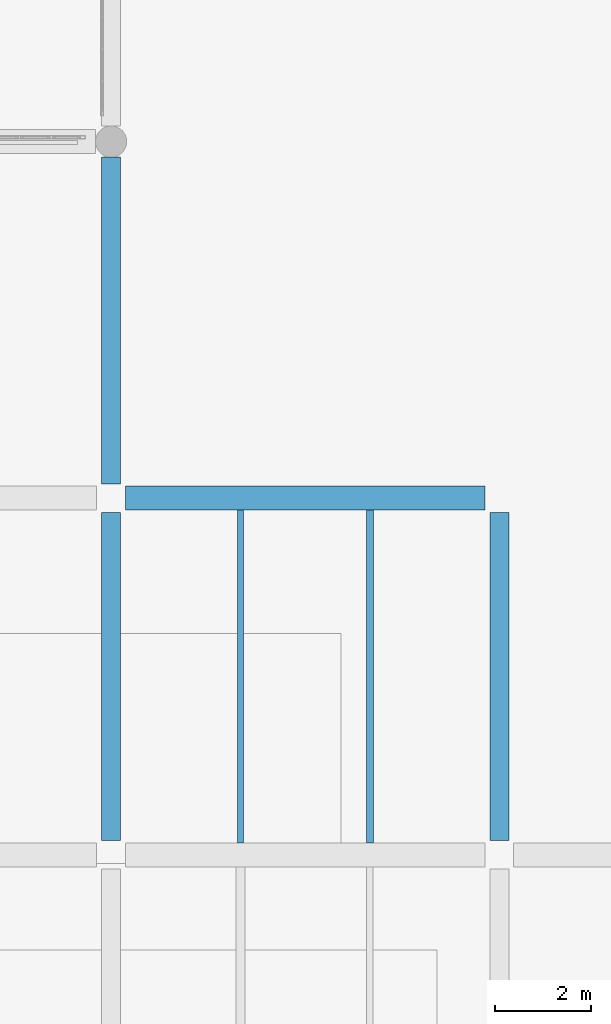
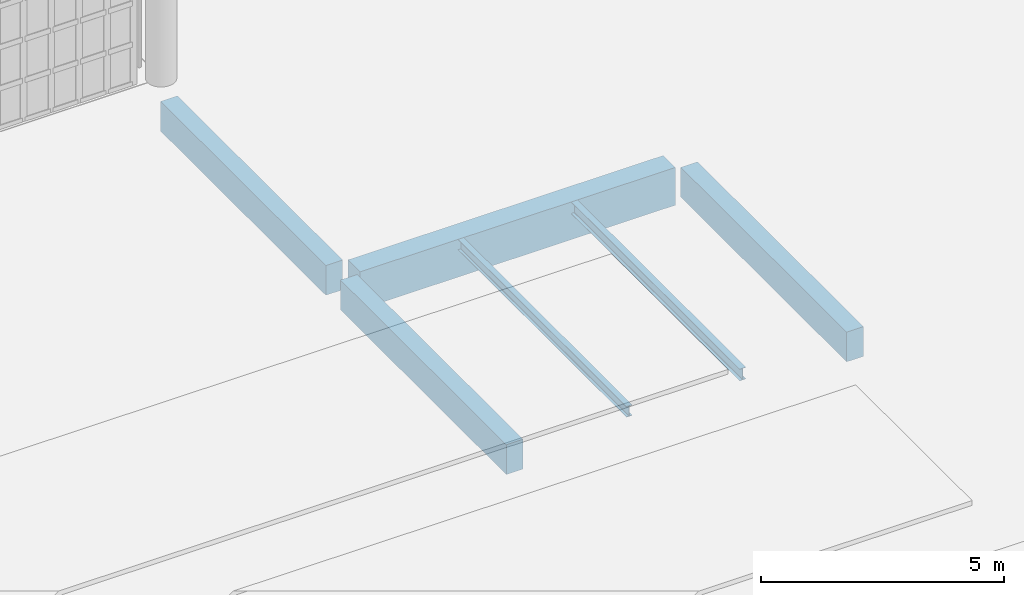
# One storey, part 15 of 372: 6 beams.
"""IFC4 building model written with IfcOpenShell, lengths in metres."""

from ifc_helpers import new_model, si_unit, direction, frame, origin, origin_2d, place, context, subcontext, project, spatial, rectangle, i_section, extrude, material, material_profile, profile_set, type_object, element, save


model = new_model("IFC4")

# Units and contexts
model_context = context("Model", 3, precision=1e-05, world=origin(), true_north=direction((0.0, 1.0)))
body_context = subcontext(model_context, "Body", "Model", "MODEL_VIEW")
ifc_project = project(units=[si_unit("LENGTHUNIT", "METRE"), si_unit("AREAUNIT", "SQUARE_METRE"), si_unit("VOLUMEUNIT", "CUBIC_METRE"), si_unit("PLANEANGLEUNIT", "RADIAN"), si_unit("MASSUNIT", "GRAM", prefix="KILO")], contexts=[model_context])

# Site, building, storey
site_placement = place(None, origin())
site = spatial("IfcSite", under=ifc_project, at=site_placement, CompositionType="ELEMENT")
building_placement = place(site_placement, origin())
building = spatial("IfcBuilding", under=site, at=building_placement, Name="Kaelora Sail Theatre", CompositionType="ELEMENT")
storey_placement = place(building_placement, origin())
storey = spatial("IfcBuildingStorey", under=building, at=storey_placement, Name="L00", CompositionType="ELEMENT", Elevation=0.0)

# Beams
ifc_material_1 = material(Name="Concrete C40/50", Category="concrete")
ifc_material_profile_1 = material_profile(ifc_material_1, rectangle(XDim=0.39990234375, YDim=0.75, at=origin_2d()), Name="RC-BM 400x750")
ifc_profile_set_1 = profile_set([ifc_material_profile_1], Name="Concrete C40/50")
beam_type_1 = type_object("IfcBeamType", Name="STR-BM-BM-RC4075", PredefinedType="BEAM", material=ifc_profile_set_1)
beam_1_placement = place(storey_placement, frame((17.699951171875, 16.679931640625, -0.695068359375), z_axis=(0.0, 1.0, 0.0), x_axis=(-1.0, 0.0, 0.0)))
element("IfcBeam", 1, at=beam_1_placement, inside=storey, type_object=beam_type_1, Name="Primary beam 3 C-D (L00)", PredefinedType="BEAM", context=body_context, shape_type="SweptSolid", body=[
    extrude(rectangle(XDim=0.39990234375, YDim=0.75, at=origin_2d()), origin(), (0.0, 0.0, 1.0), 6.840087890625),
])
beam_2_placement = place(storey_placement, frame((17.699951171875, 24.1201171875, -0.695068359375), z_axis=(0.0, 1.0, 0.0), x_axis=(-1.0, 0.0, 0.0)))
element("IfcBeam", 2, at=beam_2_placement, inside=storey, type_object=beam_type_1, Name="Primary beam 3 D-E (L00)", PredefinedType="BEAM", context=body_context, shape_type="SweptSolid", body=[
    extrude(rectangle(XDim=0.39990234375, YDim=0.75, at=origin_2d()), origin(), (0.0, 0.0, 1.0), 6.81494140625),
])
beam_3_placement = place(storey_placement, frame((25.800048828125, 16.679931640625, -0.695068359375), z_axis=(0.0, 1.0, 0.0), x_axis=(-1.0, 0.0, 0.0)))
element("IfcBeam", 3, at=beam_3_placement, inside=storey, type_object=beam_type_1, Name="Primary beam 4 C-D (L00)", PredefinedType="BEAM", context=body_context, shape_type="SweptSolid", body=[
    extrude(rectangle(XDim=0.39990234375, YDim=0.75, at=origin_2d()), origin(), (0.0, 0.0, 1.0), 6.840087890625),
])
ifc_material_2 = material(Name="Concrete C45/55", Category="concrete")
ifc_material_profile_2 = material_profile(ifc_material_2, rectangle(XDim=0.5, YDim=0.949951171875, at=origin_2d()), Name="RC-GRD 500x950")
ifc_profile_set_2 = profile_set([ifc_material_profile_2], Name="Concrete C45/55")
beam_type_2 = type_object("IfcBeamType", Name="STR-BM-GR-RC5095", PredefinedType="T_BEAM", material=ifc_profile_set_2)
beam_4_placement = place(storey_placement, frame((18.0, 23.820068359375, -0.794921875), z_axis=(1.0, 0.0, 0.0), x_axis=(0.0, 1.0, 0.0)))
element("IfcBeam", 4, at=beam_4_placement, inside=storey, type_object=beam_type_2, Name="Primary beam D 3-4 (L00)", PredefinedType="T_BEAM", context=body_context, shape_type="SweptSolid", body=[
    extrude(rectangle(XDim=0.5, YDim=0.949951171875, at=origin_2d()), origin(), (0.0, 0.0, 1.0), 7.5),
])
ifc_material_3 = material(Name="Steel S355", Category="steel")
ifc_material_profile_3 = material_profile(ifc_material_3, i_section(OverallWidth=0.135009765625, OverallDepth=0.27001953125, WebThickness=0.006591796875, FlangeThickness=0.01025390625, FilletRadius=0.014892578125, at=origin_2d()), Name="IPE 270")
ifc_profile_set_3 = profile_set([ifc_material_profile_3], Name="Steel S355")
beam_type_3 = type_object("IfcBeamType", Name="STR-BM-JS-IPE270", PredefinedType="JOIST", material=ifc_profile_set_3)
beam_5_placement = place(storey_placement, frame((20.39990234375, 16.6298828125, -0.455078125), z_axis=(0.0, 1.0, 0.0), x_axis=(-1.0, 0.0, 0.0)))
element("IfcBeam", 5, at=beam_5_placement, inside=storey, type_object=beam_type_3, Name="Secondary floor joist 3/C-1 (L00)", PredefinedType="JOIST", context=body_context, shape_type="SweptSolid", body=[
    extrude(i_section(OverallWidth=0.135009765625, OverallDepth=0.27001953125, WebThickness=0.006591796875, FlangeThickness=0.01025390625, FilletRadius=0.014892578125, at=origin_2d()), origin(), (0.0, 0.0, 1.0), 6.940185546875),
])
ifc_material_4 = material(Name="Steel S355", Category="steel")
ifc_material_profile_4 = material_profile(ifc_material_4, i_section(OverallWidth=0.14990234375, OverallDepth=0.300048828125, WebThickness=0.007080078125, FlangeThickness=0.0107421875, FilletRadius=0.014892578125, at=origin_2d()), Name="IPE 300")
ifc_profile_set_4 = profile_set([ifc_material_profile_4], Name="Steel S355")
beam_type_4 = type_object("IfcBeamType", Name="STR-BM-JS-IPE300", PredefinedType="JOIST", material=ifc_profile_set_4)
beam_6_placement = place(storey_placement, frame((23.10009765625, 16.6298828125, -0.469970703125), z_axis=(0.0, 1.0, 0.0), x_axis=(-1.0, 0.0, 0.0)))
element("IfcBeam", 6, at=beam_6_placement, inside=storey, type_object=beam_type_4, Name="Secondary floor joist 3/C-2 (L00)", PredefinedType="JOIST", context=body_context, shape_type="SweptSolid", body=[
    extrude(i_section(OverallWidth=0.14990234375, OverallDepth=0.300048828125, WebThickness=0.007080078125, FlangeThickness=0.0107421875, FilletRadius=0.014892578125, at=origin_2d()), origin(), (0.0, 0.0, 1.0), 6.940185546875),
])

save(model, "model.ifc")
